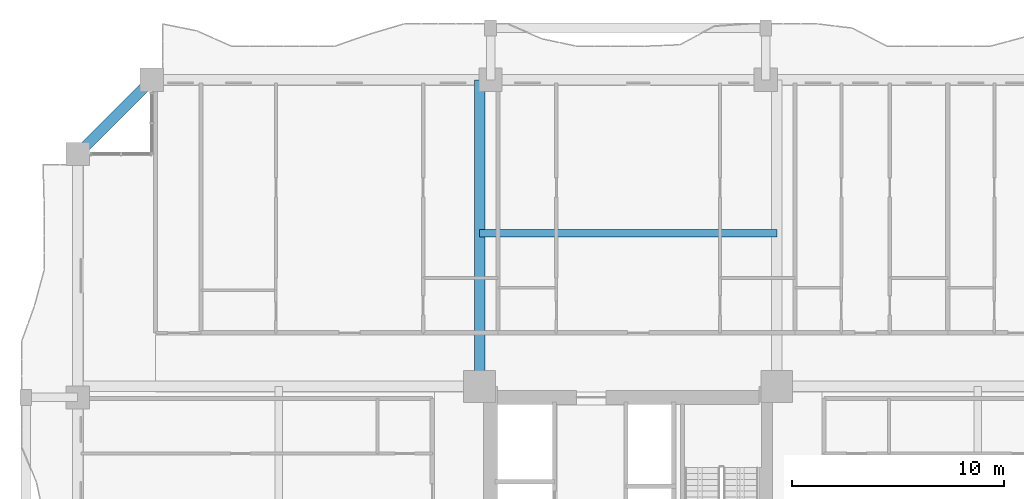
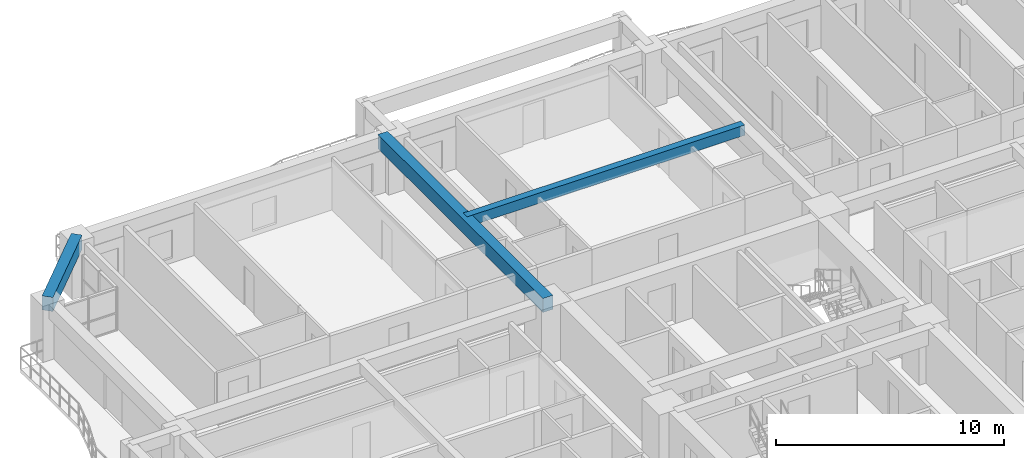
# One storey, part 7 of 28: 3 beams.
"""IFC4 building model written with IfcOpenShell, lengths in metres."""

import ifcopenshell
import ifcopenshell.guid

model = None  # the IFC model being written
_history = None  # IfcOwnerHistory: only IFC2X3 demands one
_inside = {}  # id of a spatial element -> (the spatial element, [elements in it])
_under = {}  # id of a project, library or spatial element -> (it, [spatial elements below it])
_declared = {}  # id of a project -> (the project, [libraries it declares])
_typed = {}  # id of a type object -> (the type object, [elements of that type])
_made_of = {}  # id of a material, layer set ... -> (it, [elements and type objects made of it])


def new_model(schema):
    """Start an empty IFC model of exactly this schema.

    Asked for "IFC4X3", IfcOpenShell would pick the latest addendum, in which some entities
    have other attributes; the version numbers below select the first issue.
    IFC2X3 requires an IfcOwnerHistory on every rooted entity: one is made here for all.
    """
    global model, _history
    if schema == "IFC4X3":
        model = ifcopenshell.file(schema_version=(4, 3, 0, 0))
    else:
        model = ifcopenshell.file(schema=schema)
    _inside.clear()
    _under.clear()
    _declared.clear()
    _typed.clear()
    _made_of.clear()
    _history = None
    if model.schema == "IFC2X3":
        org = make("IfcOrganization", Name="unknown")
        user = make(
            "IfcPersonAndOrganization",
            ThePerson=make("IfcPerson", FamilyName="unknown"),
            TheOrganization=org,
        )
        app = make(
            "IfcApplication",
            ApplicationDeveloper=org,
            Version="unknown",
            ApplicationFullName="unknown",
            ApplicationIdentifier="unknown",
        )
        _history = make(
            "IfcOwnerHistory",
            OwningUser=user,
            OwningApplication=app,
            ChangeAction="ADDED",
            CreationDate=0,
        )
    return model


def make(cls, **values):
    """One entity of the class cls with the attributes given. An attribute that is None is left unset."""
    return model.create_entity(
        cls, **{name: value for name, value in values.items() if value is not None}
    )


def rooted(cls, **values):
    """An entity with a GlobalId (a new one), such as an element, a storey or a relation."""
    return make(cls, GlobalId=ifcopenshell.guid.new(), OwnerHistory=_history, **values)


def si_unit(unit_type, name, prefix=None):
    """IfcSIUnit, for example si_unit("LENGTHUNIT", "METRE", prefix="MILLI")."""
    return make("IfcSIUnit", UnitType=unit_type, Prefix=prefix, Name=name)


def assignment(units):
    """IfcUnitAssignment: the units of a project."""
    return None if units is None else make("IfcUnitAssignment", Units=units)


def point(xyz):
    """IfcCartesianPoint."""
    return None if xyz is None else make("IfcCartesianPoint", Coordinates=xyz)


def direction(xyz):
    """IfcDirection."""
    return None if xyz is None else make("IfcDirection", DirectionRatios=xyz)


def frame(location, z_axis=None, x_axis=None):
    """IfcAxis2Placement3D, a coordinate frame: its origin and axes. An axis left out is left unset."""
    return make(
        "IfcAxis2Placement3D",
        Location=point(location),
        Axis=direction(z_axis),
        RefDirection=direction(x_axis),
    )


def frame_2d(location, x_axis=None):
    """IfcAxis2Placement2D, a coordinate frame in the plane: its origin and x axis."""
    return make(
        "IfcAxis2Placement2D", Location=point(location), RefDirection=direction(x_axis)
    )


def origin():
    """The frame at (0, 0, 0) with its axes left unset."""
    return frame((0.0, 0.0, 0.0))


def origin_2d():
    """The frame at (0, 0) in the plane with its x axis left unset."""
    return frame_2d((0.0, 0.0))


def place(relative_to, where):
    """IfcLocalPlacement: puts the frame where relative to a parent placement (None: the world)."""
    return make(
        "IfcLocalPlacement", PlacementRelTo=relative_to, RelativePlacement=where
    )


def context(
    kind, dimensions, precision=None, world=None, true_north=None, identifier=None
):
    """IfcGeometricRepresentationContext, for example the 3D "Model" context."""
    return make(
        "IfcGeometricRepresentationContext",
        ContextIdentifier=identifier,
        ContextType=kind,
        CoordinateSpaceDimension=dimensions,
        Precision=precision,
        WorldCoordinateSystem=world,
        TrueNorth=true_north,
    )


def subcontext(parent, identifier, kind, view, scale=None):
    """IfcGeometricRepresentationSubContext, for example "Body" below "Model"."""
    return make(
        "IfcGeometricRepresentationSubContext",
        ContextIdentifier=identifier,
        ContextType=kind,
        ParentContext=parent,
        TargetScale=scale,
        TargetView=view,
    )


def project(units=None, contexts=None):
    """IfcProject with its units and contexts."""
    return rooted(
        "IfcProject",
        Name="project",
        RepresentationContexts=contexts,
        UnitsInContext=assignment(units),
    )


def spatial(cls, under=None, at=None, **own):
    """A site, building, storey or space (cls), placed at a placement, below another one or the project."""
    s = rooted(cls, ObjectPlacement=at, **own)
    if under is not None:
        _under.setdefault(under.id(), (under, []))[1].append(s)
    return s


def profile(cls, at=None, kind="AREA", **sizes):
    """A parametric profile (cls). Its sizes go by their IFC names, for example OverallWidth=200.0."""
    return make(cls, ProfileType=kind, Position=at, **sizes)


def rectangle(**sizes):
    """IfcRectangleProfileDef."""
    return profile("IfcRectangleProfileDef", **sizes)


def extrude(swept, where, along, depth):
    """IfcExtrudedAreaSolid: the profile swept, set in the frame where, extruded along a direction by depth."""
    return make(
        "IfcExtrudedAreaSolid",
        SweptArea=swept,
        Position=where,
        ExtrudedDirection=direction(along),
        Depth=depth,
    )


def shape(context_of_items, identifier, shape_type, items):
    """IfcShapeRepresentation: the items that make up one representation, for example the "Body"."""
    return make(
        "IfcShapeRepresentation",
        ContextOfItems=context_of_items,
        RepresentationIdentifier=identifier,
        RepresentationType=shape_type,
        Items=items,
    )


def source(mapping_origin, context_of_items, identifier, shape_type, items):
    """IfcRepresentationMap: a shape defined once, which mapped items show again and again."""
    return make(
        "IfcRepresentationMap",
        MappingOrigin=mapping_origin,
        MappedRepresentation=shape(context_of_items, identifier, shape_type, items),
    )


def transform(
    local_origin,
    x_axis=None,
    y_axis=None,
    z_axis=None,
    scale=None,
    scale2=None,
    scale3=None,
    uniform=True,
):
    """IfcCartesianTransformationOperator3D, or its non-uniform kind. x_axis, y_axis, z_axis: its Axis1, 2, 3."""
    if uniform:
        return make(
            "IfcCartesianTransformationOperator3D",
            Axis1=direction(x_axis),
            Axis2=direction(y_axis),
            LocalOrigin=point(local_origin),
            Scale=scale,
            Axis3=direction(z_axis),
        )
    return make(
        "IfcCartesianTransformationOperator3DnonUniform",
        Axis1=direction(x_axis),
        Axis2=direction(y_axis),
        LocalOrigin=point(local_origin),
        Scale=scale,
        Axis3=direction(z_axis),
        Scale2=scale2,
        Scale3=scale3,
    )


def mapped(mapping_source, mapping_target):
    """IfcMappedItem: shows the shape of a source again, moved by a transform."""
    return make(
        "IfcMappedItem", MappingSource=mapping_source, MappingTarget=mapping_target
    )


def material(Name=None, Category=None):
    """IfcMaterial."""
    return make("IfcMaterial", Name=Name, Category=Category)


def material_profile(
    of_material, cross_section, Name=None, Category=None, Priority=None
):
    """IfcMaterialProfile: a cross section and its material."""
    return make(
        "IfcMaterialProfile",
        Name=Name,
        Material=of_material,
        Profile=cross_section,
        Priority=Priority,
        Category=Category,
    )


def profile_set(profiles, Name=None, composite=None):
    """IfcMaterialProfileSet."""
    return make(
        "IfcMaterialProfileSet",
        Name=Name,
        MaterialProfiles=profiles,
        CompositeProfile=composite,
    )


def made_of(thing, what):
    """Note that an element or type object is made of a material, layer set ...; save() writes the relation."""
    if what is not None:
        _made_of.setdefault(what.id(), (what, []))[1].append(thing)
    return thing


def type_object(cls, material=None, **own):
    """A type object (cls), such as IfcWallType, which elements share."""
    return made_of(rooted(cls, **own), material)


def element(
    cls,
    number,
    at=None,
    inside=None,
    cuts=None,
    type_object=None,
    material=None,
    context=None,
    identifier="Body",
    shape_type=None,
    held_by="IfcProductDefinitionShape",
    body=None,
    shapes=None,
    **own,
):
    """One element of the class cls, such as IfcWall. Its Tag is "e" and its number.

    at: its placement. inside: the storey or other place that contains it. cuts: it is an
    opening in that element (IfcRelVoidsElement). A single representation is given by context,
    identifier, shape_type and body (its items); several are given by shapes. held_by: the class
    of the entity that holds the representations. save() writes the other relations.
    """
    e = rooted(cls, Tag="e%d" % number, ObjectPlacement=at, **own)
    if body is not None:
        shapes = [shape(context, identifier, shape_type, body)]
    if shapes is not None:
        e.Representation = make(held_by, Representations=shapes)
    if inside is not None:
        _inside.setdefault(inside.id(), (inside, []))[1].append(e)
    if cuts is not None:
        rooted(
            "IfcRelVoidsElement", RelatingBuildingElement=cuts, RelatedOpeningElement=e
        )
    if type_object is not None:
        _typed.setdefault(type_object.id(), (type_object, []))[1].append(e)
    return made_of(e, material)


def aggregate(whole, parts):
    """IfcRelAggregates: a whole, such as a stair, and the parts it consists of."""
    return rooted("IfcRelAggregates", RelatingObject=whole, RelatedObjects=parts)


def save(model, path):
    """Write the relations noted so far, then the file.

    IfcRelAggregates (storeys below a building ...), IfcRelContainedInSpatialStructure (elements
    in a storey), IfcRelDefinesByType, IfcRelAssociatesMaterial and IfcRelDeclares: one each for
    every whole, place, type object, material and project.
    """
    for whole, parts in _under.values():
        aggregate(whole, parts)
    for where, things in _inside.values():
        rooted(
            "IfcRelContainedInSpatialStructure",
            RelatedElements=things,
            RelatingStructure=where,
        )
    for kind, things in _typed.values():
        rooted("IfcRelDefinesByType", RelatedObjects=things, RelatingType=kind)
    for what, things in _made_of.values():
        rooted("IfcRelAssociatesMaterial", RelatedObjects=things, RelatingMaterial=what)
    for by, libraries in _declared.values():
        rooted("IfcRelDeclares", RelatingContext=by, RelatedDefinitions=libraries)
    model.write(path)


model = new_model("IFC4")

# Units and contexts
model_context = context("Model", 3, precision=1e-05, world=origin(), true_north=direction((0.0, 1.0)))
body_context = subcontext(model_context, "Body", "Model", "MODEL_VIEW")
ifc_project = project(units=[si_unit("LENGTHUNIT", "METRE"), si_unit("AREAUNIT", "SQUARE_METRE"), si_unit("VOLUMEUNIT", "CUBIC_METRE"), si_unit("PLANEANGLEUNIT", "RADIAN"), si_unit("MASSUNIT", "GRAM", prefix="KILO")], contexts=[model_context])

# Site, building, storey
site_placement = place(None, origin())
site = spatial("IfcSite", under=ifc_project, at=site_placement, CompositionType="ELEMENT")
building_placement = place(site_placement, origin())
building = spatial("IfcBuilding", under=site, at=building_placement, Name="Saelheon Loggia Tower", CompositionType="ELEMENT")
storey_placement = place(building_placement, frame((0.0, 0.0, 25.39990234375)))
storey = spatial("IfcBuildingStorey", under=building, at=storey_placement, Name="L07", CompositionType="ELEMENT", Elevation=25.39990234375)

# Beams
ifc_material_1 = material(Name="Concrete C45/55", Category="concrete")
ifc_material_profile_1 = material_profile(ifc_material_1, rectangle(XDim=0.5, YDim=0.75, at=origin_2d()), Name="RC-500x750")
ifc_profile_set_1 = profile_set([ifc_material_profile_1], Name="Concrete C45/55")
beam_type_1 = type_object("IfcBeamType", Name="Beam_FloorGirder_RC500x750", PredefinedType="BEAM", material=ifc_profile_set_1)
shared_shape_1 = source(origin(), body_context, "Body", "SweptSolid", [
    extrude(rectangle(XDim=0.5, YDim=0.75, at=origin_2d()), origin(), (0.0, 0.0, 1.0), 14.47998046875),
])
beam_1_placement = place(storey_placement, frame((30.97998046875, 36.52001953125, 2.625), z_axis=(0.0, 1.0, 0.0), x_axis=(-1.0, 0.0, 0.0)))
element("IfcBeam", 1, at=beam_1_placement, inside=storey, type_object=beam_type_1, Name="L07 Radial Floor Girder RAD-NW-N", PredefinedType="BEAM", context=body_context, shape_type="MappedRepresentation", body=[
    mapped(shared_shape_1, transform((0.0, 0.0, 0.0), scale=1.0)),
])
ifc_material_profile_2 = material_profile(ifc_material_1, rectangle(XDim=0.5, YDim=0.75, at=origin_2d()), Name="RC-500x750")
ifc_profile_set_2 = profile_set([ifc_material_profile_2], Name="Concrete C45/55")
beam_type_2 = type_object("IfcBeamType", Name="Beam_PerimGirder_RC500x750", PredefinedType="BEAM", material=ifc_profile_set_2)
shared_shape_2 = source(origin(), body_context, "Body", "SweptSolid", [
    extrude(rectangle(XDim=0.5, YDim=0.75, at=origin_2d()), origin(), (0.0, 0.0, 1.0), 4.94970703125),
])
beam_2_placement = place(storey_placement, frame((15.5, 51.0, 2.625), z_axis=(-0.707106781187, -0.707106781187, 0.0), x_axis=(0.707106781187, -0.707106781187, 0.0)))
element("IfcBeam", 2, at=beam_2_placement, inside=storey, type_object=beam_type_2, Name="L07 Perimeter Frame Girder 12", PredefinedType="BEAM", context=body_context, shape_type="MappedRepresentation", body=[
    mapped(shared_shape_2, transform((0.0, 0.0, 0.0), scale=1.0)),
])
ifc_material_2 = material(Name="Concrete C40/50", Category="concrete")
ifc_material_profile_3 = material_profile(ifc_material_2, rectangle(XDim=0.35009765625, YDim=0.550048828125, at=origin_2d()), Name="RC-350x550")
ifc_profile_set_3 = profile_set([ifc_material_profile_3], Name="Concrete C40/50")
beam_type_3 = type_object("IfcBeamType", Name="Beam_Joist_RC350x550", PredefinedType="JOIST", material=ifc_profile_set_3)
shared_shape_3 = source(origin(), body_context, "Body", "SweptSolid", [
    extrude(rectangle(XDim=0.35009765625, YDim=0.550048828125, at=origin_2d()), origin(), (0.0, 0.0, 1.0), 14.0400390625),
])
beam_3_placement = place(storey_placement, frame((30.97998046875, 43.760009765625, 2.72509765625), z_axis=(1.0, 0.0, 0.0), x_axis=(0.0, 1.0, 0.0)))
element("IfcBeam", 3, at=beam_3_placement, inside=storey, type_object=beam_type_3, Name="L07 North Floor Joist", PredefinedType="JOIST", context=body_context, shape_type="MappedRepresentation", body=[
    mapped(shared_shape_3, transform((0.0, 0.0, 0.0), scale=1.0)),
])

save(model, "model.ifc")
